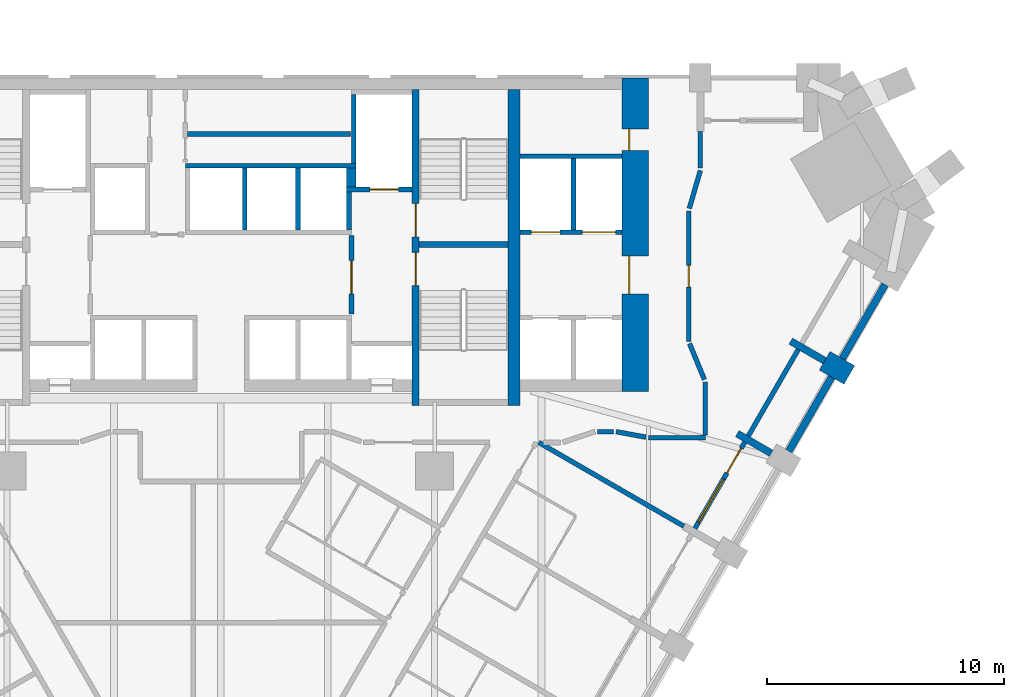
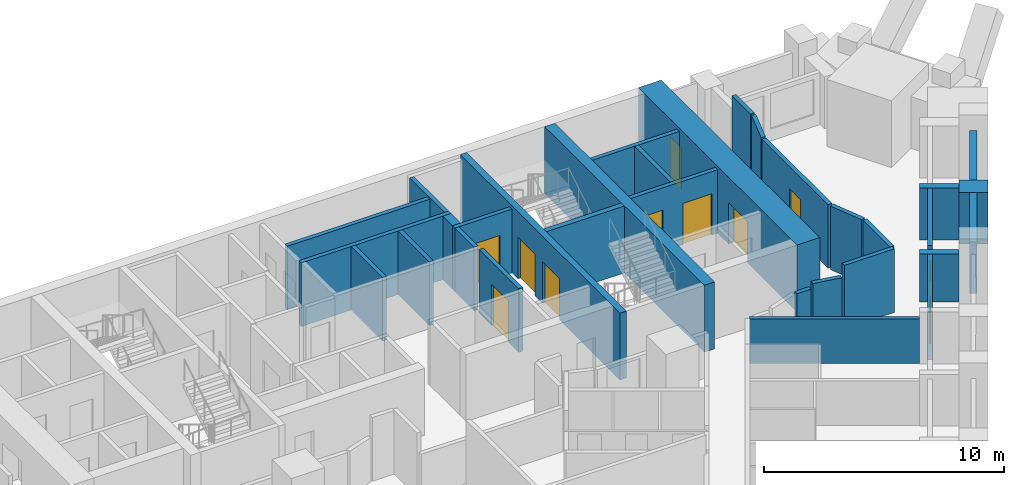
# One storey, part 9 of 12: 32 walls, 10 doors, 1 window, 11 openings.
"""IFC4 building model written with IfcOpenShell, lengths in metres."""

from ifc_helpers import new_model, si_unit, direction, frame, frame_2d, origin, place, context, subcontext, project, spatial, rectangle, extrude, material, layer, layer_set, type_object, element, fill, save


model = new_model("IFC4")

# Units and contexts
model_context = context("Model", 3, precision=1e-05, world=origin(), true_north=direction((0.0, 1.0)))
body_context = subcontext(model_context, "Body", "Model", "MODEL_VIEW")
ifc_project = project(units=[si_unit("LENGTHUNIT", "METRE"), si_unit("AREAUNIT", "SQUARE_METRE"), si_unit("VOLUMEUNIT", "CUBIC_METRE"), si_unit("PLANEANGLEUNIT", "RADIAN"), si_unit("MASSUNIT", "GRAM", prefix="KILO")], contexts=[model_context])

# Site, building, storey
site_placement = place(None, origin())
site = spatial("IfcSite", under=ifc_project, at=site_placement, CompositionType="ELEMENT")
building_placement = place(site_placement, origin())
building = spatial("IfcBuilding", under=site, at=building_placement, Name="Calabash Gate Tower", CompositionType="ELEMENT")
storey_placement = place(building_placement, frame((0.0, 0.0, 80.0)))
storey = spatial("IfcBuildingStorey", under=building, at=storey_placement, Name="L16", CompositionType="ELEMENT", Elevation=80.0)

# Walls
ifc_material_1 = material(Name="Terracotta brick masonry, exposed face", Category="masonry")
ifc_layer_1 = layer(ifc_material_1, 1.199951171875)
ifc_layer_set_1 = layer_set([ifc_layer_1], Name="Brick end wall 1200")
wall_type_1 = type_object("IfcWallType", Name="Brick end wall 1200", PredefinedType="SOLIDWALL", material=ifc_layer_set_1)
wall_1_placement = place(storey_placement, frame((26.467041015625, 6.537353515625, 0.0), z_axis=(0.0, 0.0, 1.0), x_axis=(-0.866043267704, 0.499969057507, 0.0)))
element("IfcWall", 1, at=wall_1_placement, inside=storey, type_object=wall_type_1, Name="Brick pier S04 SE2.9", PredefinedType="SOLIDWALL", context=body_context, shape_type="SweptSolid", body=[
    extrude(rectangle(XDim=1.19970703125, YDim=0.89990234375, at=frame_2d((0.599853515625, 0.0))), origin(), (0.0, 0.0, 1.0), 2.6298828125),
])
ifc_material_2 = material(Name="Terracotta brick masonry, exposed face", Category="masonry")
ifc_layer_2 = layer(ifc_material_2, 0.300048828125)
ifc_layer_set_2 = layer_set([ifc_layer_2], Name="Brick infill panel wall 300")
wall_type_2 = type_object("IfcWallType", Name="Brick infill panel wall 300", PredefinedType="SOLIDWALL", material=ifc_layer_set_2)
wall_2_placement = place(storey_placement, frame((23.92236328125, 3.329833984375, 0.0), z_axis=(0.0, 0.0, 1.0), x_axis=(0.500012057535, 0.866018442252, 0.0)))
element("IfcWall", 2, at=wall_2_placement, inside=storey, type_object=wall_type_2, Name="Brick panel S04 SE2.9", PredefinedType="SOLIDWALL", context=body_context, shape_type="SweptSolid", body=[
    extrude(rectangle(XDim=3.60009765625, YDim=0.300048828125, at=frame_2d((1.800048828125, 0.0))), origin(), (0.0, 0.0, 1.0), 2.6298828125),
])
wall_3_placement = place(storey_placement, frame((26.17236328125, 7.22705078125, 0.0), z_axis=(0.0, 0.0, 1.0), x_axis=(0.50001992892, 0.866013897511, 0.0)))
element("IfcWall", 3, at=wall_3_placement, inside=storey, type_object=wall_type_2, Name="Brick panel S04 SE2.10", PredefinedType="SOLIDWALL", context=body_context, shape_type="SweptSolid", body=[
    extrude(rectangle(XDim=3.599365234375, YDim=0.300048828125, at=frame_2d((1.7998046875, 0.0))), origin(), (0.0, 0.0, 1.0), 2.6298828125),
])
ifc_material_3 = material(Name="Terracotta brick masonry, exposed face", Category="masonry")
ifc_layer_3 = layer(ifc_material_3, 0.300048828125)
ifc_layer_set_3 = layer_set([ifc_layer_3], Name="Brick loggia cheek wall 300")
wall_type_3 = type_object("IfcWallType", Name="Brick loggia cheek wall 300", PredefinedType="SOLIDWALL", material=ifc_layer_set_3)
wall_4_placement = place(storey_placement, frame((23.177490234375, 3.240234375, 0.0), z_axis=(0.0, 0.0, 1.0), x_axis=(-0.865966208357, 0.500102515474, 0.0)))
element("IfcWall", 4, at=wall_4_placement, inside=storey, type_object=wall_type_3, Name="Loggia cheek S04 SE2.8", PredefinedType="SOLIDWALL", context=body_context, shape_type="SweptSolid", body=[
    extrude(rectangle(XDim=1.649658203125, YDim=0.300048828125, at=frame_2d((0.82470703125, 0.0))), origin(), (0.0, 0.0, 1.0), 2.4501953125),
])
wall_5_placement = place(storey_placement, frame((25.427978515625, 7.13720703125, 0.0), z_axis=(0.0, 0.0, 1.0), x_axis=(-0.866040211805, 0.499974350878, 0.0)))
element("IfcWall", 5, at=wall_5_placement, inside=storey, type_object=wall_type_3, Name="Loggia cheek S04 SE2.9", PredefinedType="SOLIDWALL", context=body_context, shape_type="SweptSolid", body=[
    extrude(rectangle(XDim=1.64990234375, YDim=0.300048828125, at=frame_2d((0.824951171875, 0.0))), origin(), (0.0, 0.0, 1.0), 2.64990234375),
])

# Wall, openings, doors
ifc_material_4 = material(Name="Concrete C80/95", Category="concrete")
ifc_layer_4 = layer(ifc_material_4, 1.10009765625)
ifc_layer_set_4 = layer_set([ifc_layer_4], Name="Core wall 1100 Concrete C80/95")
wall_type_4 = type_object("IfcWallType", Name="Core wall 1100 Concrete C80/95", PredefinedType="SHEAR", material=ifc_layer_set_4)
wall_6_placement = place(storey_placement, frame((17.449951171875, 5.8525390625, 0.0), z_axis=(0.0, 0.0, 1.0), x_axis=(0.0, 1.0, 0.0)))
wall_6 = element("IfcWall", 6, at=wall_6_placement, inside=storey, type_object=wall_type_4, Name="Core wall Z1-ENDE L16", PredefinedType="SHEAR", context=body_context, shape_type="SweptSolid", body=[
    extrude(rectangle(XDim=13.199951171875, YDim=1.10009765625, at=frame_2d((6.60009765625, 0.0))), origin(), (0.0, 0.0, 1.0), 3.39990234375),
])
opening_1_placement = place(wall_6_placement, frame((4.10009765625, 0.0, 0.0)))
opening_1 = element("IfcOpeningElement", 7, at=opening_1_placement, cuts=wall_6, Name="Opening H4-002", PredefinedType="OPENING", context=body_context, shape_type="SweptSolid", body=[
    extrude(rectangle(XDim=1.60009765625, YDim=2.10009765625, at=frame_2d((0.800048828125, 1.050048828125))), frame((0.0, 0.56005859375, 0.0), z_axis=(0.0, -1.0, 0.0), x_axis=(1.0, 0.0, 0.0)), (0.0, 0.0, 1.0), 1.1201171875),
])
opening_2_placement = place(wall_6_placement, frame((10.14990234375, 0.0, 0.0)))
opening_2 = element("IfcOpeningElement", 8, at=opening_2_placement, cuts=wall_6, Name="Opening H4-001", PredefinedType="OPENING", context=body_context, shape_type="SweptSolid", body=[
    extrude(rectangle(XDim=0.89990234375, YDim=2.10009765625, at=frame_2d((0.449951171875, 1.050048828125))), frame((0.0, 0.56005859375, 0.0), z_axis=(0.0, -1.0, 0.0), x_axis=(1.0, 0.0, 0.0)), (0.0, 0.0, 1.0), 1.1201171875),
])
ifc_material_5 = material(Name="Steel fire door set with fire-resisting glazing", Category="steel")
door_type_1 = type_object("IfcDoorType", Name="Double fire door D08 1600x2100 FD60", OperationType="DOUBLE_DOOR_SINGLE_SWING", PredefinedType="DOOR", material=ifc_material_5)
door_1_placement = place(opening_1_placement, origin())
door_1 = element("IfcDoor", 9, at=door_1_placement, inside=storey, type_object=door_type_1, Name="Low-rise Lift Lobby E door", OperationType="DOUBLE_DOOR_SINGLE_SWING", OverallHeight=2.10009765625, OverallWidth=1.60009765625, PredefinedType="DOOR", context=body_context, shape_type="SweptSolid", body=[
    extrude(rectangle(XDim=1.60009765625, YDim=2.10009765625, at=frame_2d((0.800048828125, 1.050048828125))), frame((0.0, 0.27490234375, 0.0), z_axis=(0.0, -1.0, 0.0), x_axis=(1.0, 0.0, 0.0)), (0.0, 0.0, 1.0), 0.050048828125),
])
fill(opening_1, door_1)
ifc_material_6 = material(Name="Steel fire door set with fire-resisting glazing", Category="steel")
door_type_2 = type_object("IfcDoorType", Name="Fire door D06 900x2100 FD60", OperationType="NOTDEFINED", PredefinedType="DOOR", material=ifc_material_6)
door_2_placement = place(opening_2_placement, origin())
door_2 = element("IfcDoor", 10, at=door_2_placement, inside=storey, type_object=door_type_2, Name="Housekeeping Store door", OperationType="SINGLE_SWING_LEFT", OverallHeight=2.10009765625, OverallWidth=0.89990234375, PredefinedType="DOOR", context=body_context, shape_type="SweptSolid", body=[
    extrude(rectangle(XDim=0.89990234375, YDim=2.10009765625, at=frame_2d((0.449951171875, 1.050048828125))), frame((0.0, 0.27490234375, 0.0), z_axis=(0.0, -1.0, 0.0), x_axis=(1.0, 0.0, 0.0)), (0.0, 0.0, 1.0), 0.050048828125),
])
fill(opening_2, door_2)

# Wall
ifc_material_7 = material(Name="Concrete C80/95", Category="concrete")
ifc_layer_5 = layer(ifc_material_7, 0.25)
ifc_layer_set_5 = layer_set([ifc_layer_5], Name="Core wall 250 Concrete C80/95")
wall_type_5 = type_object("IfcWallType", Name="Core wall 250 Concrete C80/95", PredefinedType="SHEAR", material=ifc_layer_set_5)
wall_7_placement = place(storey_placement, frame((8.35009765625, 12.027587890625, 0.0), z_axis=(0.0, 0.0, 1.0), x_axis=(1.0, 0.0, 0.0)))
element("IfcWall", 11, at=wall_7_placement, inside=storey, type_object=wall_type_5, Name="Core wall Z1-MIDE L16", PredefinedType="SHEAR", context=body_context, shape_type="SweptSolid", body=[
    extrude(rectangle(XDim=3.75, YDim=0.25, at=frame_2d((1.875, 0.0))), origin(), (0.0, 0.0, 1.0), 3.39990234375),
])

# Wall, openings, doors
ifc_material_8 = material(Name="Concrete C80/95", Category="concrete")
ifc_layer_6 = layer(ifc_material_8, 0.300048828125)
ifc_layer_set_6 = layer_set([ifc_layer_6], Name="Core wall 300 Concrete C80/95")
wall_type_6 = type_object("IfcWallType", Name="Core wall 300 Concrete C80/95", PredefinedType="SHEAR", material=ifc_layer_set_6)
wall_8_placement = place(storey_placement, frame((8.199951171875, 5.252685546875, 0.0), z_axis=(0.0, 0.0, 1.0), x_axis=(0.0, 1.0, 0.0)))
wall_8 = element("IfcWall", 12, at=wall_8_placement, inside=storey, type_object=wall_type_6, Name="Core wall Z1-PARTE L16", PredefinedType="SHEAR", context=body_context, shape_type="SweptSolid", body=[
    extrude(rectangle(XDim=13.2998046875, YDim=0.300048828125, at=frame_2d((6.64990234375, 0.0))), origin(), (0.0, 0.0, 1.0), 3.39990234375),
])
opening_3_placement = place(wall_8_placement, frame((7.10009765625, 0.0, 0.0)))
opening_3 = element("IfcOpeningElement", 13, at=opening_3_placement, cuts=wall_8, Name="Opening H4-015", PredefinedType="OPENING", context=body_context, shape_type="SweptSolid", body=[
    extrude(rectangle(XDim=1.39990234375, YDim=2.10009765625, at=frame_2d((0.699951171875, 1.050048828125))), frame((0.0, 0.159912109375, 0.0), z_axis=(0.0, -1.0, 0.0), x_axis=(1.0, 0.0, 0.0)), (0.0, 0.0, 1.0), 0.320068359375),
])
opening_4_placement = place(wall_8_placement, frame((5.050048828125, 0.0, 0.0)))
opening_4 = element("IfcOpeningElement", 14, at=opening_4_placement, cuts=wall_8, Name="Opening H4-016", PredefinedType="OPENING", context=body_context, shape_type="SweptSolid", body=[
    extrude(rectangle(XDim=1.39990234375, YDim=2.10009765625, at=frame_2d((0.699951171875, 1.050048828125))), frame((0.0, 0.159912109375, 0.0), z_axis=(0.0, -1.0, 0.0), x_axis=(1.0, 0.0, 0.0)), (0.0, 0.0, 1.0), 0.320068359375),
])
ifc_material_9 = material(Name="Steel fire door set with fire-resisting glazing", Category="steel")
door_type_3 = type_object("IfcDoorType", Name="Fire door D05 1400x2100 FD90", OperationType="NOTDEFINED", PredefinedType="DOOR", material=ifc_material_9)
door_3_placement = place(opening_3_placement, origin())
door_3 = element("IfcDoor", 15, at=door_3_placement, inside=storey, type_object=door_type_3, Name="Exit stair door ST3", OperationType="SINGLE_SWING_RIGHT", OverallHeight=2.10009765625, OverallWidth=1.39990234375, PredefinedType="DOOR", context=body_context, shape_type="SweptSolid", body=[
    extrude(rectangle(XDim=1.39990234375, YDim=2.10009765625, at=frame_2d((0.699951171875, 1.050048828125))), frame((0.0, 0.02490234375, 0.0), z_axis=(0.0, -1.0, 0.0), x_axis=(1.0, 0.0, 0.0)), (0.0, 0.0, 1.0), 0.050048828125),
])
fill(opening_3, door_3)
door_4_placement = place(opening_4_placement, origin())
door_4 = element("IfcDoor", 16, at=door_4_placement, inside=storey, type_object=door_type_3, Name="Exit stair door ST4", OperationType="SINGLE_SWING_LEFT", OverallHeight=2.10009765625, OverallWidth=1.39990234375, PredefinedType="DOOR", context=body_context, shape_type="SweptSolid", body=[
    extrude(rectangle(XDim=1.39990234375, YDim=2.10009765625, at=frame_2d((0.699951171875, 1.050048828125))), frame((0.0, 0.02490234375, 0.0), z_axis=(0.0, -1.0, 0.0), x_axis=(1.0, 0.0, 0.0)), (0.0, 0.0, 1.0), 0.050048828125),
])
fill(opening_4, door_4)

# Walls
ifc_material_10 = material(Name="Concrete C80/95", Category="concrete")
ifc_layer_7 = layer(ifc_material_10, 0.5)
ifc_layer_set_7 = layer_set([ifc_layer_7], Name="Core wall 500 Concrete C80/95")
wall_type_7 = type_object("IfcWallType", Name="Core wall 500 Concrete C80/95", PredefinedType="SHEAR", material=ifc_layer_set_7)
wall_9_placement = place(storey_placement, frame((12.35009765625, 5.252685546875, 0.0), z_axis=(0.0, 0.0, 1.0), x_axis=(0.0, 1.0, 0.0)))
element("IfcWall", 17, at=wall_9_placement, inside=storey, type_object=wall_type_7, Name="Core wall Z1-COLE L16", PredefinedType="SHEAR", context=body_context, shape_type="SweptSolid", body=[
    extrude(rectangle(XDim=13.2998046875, YDim=0.5, at=frame_2d((6.64990234375, 0.0))), origin(), (0.0, 0.0, 1.0), 3.39990234375),
])
ifc_material_11 = material(Name="Gypsum board on steel studs, mineral wool", Category="steel")
ifc_layer_8 = layer(ifc_material_11, 0.199951171875)
ifc_layer_set_8 = layer_set([ifc_layer_8], Name="Partition 200 gypsum board EI 60")
wall_type_8 = type_object("IfcWallType", Name="Partition 200 gypsum board EI 60", PredefinedType="PARTITIONING", material=ifc_layer_set_8)
wall_10_placement = place(storey_placement, frame((13.38330078125, 3.699462890625, 0.0), z_axis=(0.0, 0.0, 1.0), x_axis=(0.866028421525, -0.499994773084, 0.0)))
element("IfcWall", 18, at=wall_10_placement, inside=storey, type_object=wall_type_8, Name="Partition", PredefinedType="PARTITIONING", context=body_context, shape_type="SweptSolid", body=[
    extrude(rectangle(XDim=7.06201171875, YDim=0.199951171875, at=frame_2d((3.531005859375, 0.0))), origin(), (0.0, 0.0, 1.0), 2.24169921875),
])
wall_11_placement = place(storey_placement, frame((18.0, 3.8994140625, 0.0), z_axis=(0.0, 0.0, 1.0), x_axis=(0.999999979311, 0.000203417408, 0.0)))
element("IfcWall", 19, at=wall_11_placement, inside=storey, type_object=wall_type_8, Name="Partition", PredefinedType="PARTITIONING", context=body_context, shape_type="SweptSolid", body=[
    extrude(rectangle(XDim=2.400390625, YDim=0.199951171875, at=frame_2d((1.2001953125, 0.0))), origin(), (0.0, 0.0, 1.0), 3.22998046875),
])
wall_12_placement = place(storey_placement, frame((20.400390625, 4.0, 0.0), z_axis=(0.0, 0.0, 1.0), x_axis=(0.0, 1.0, 0.0)))
element("IfcWall", 20, at=wall_12_placement, inside=storey, type_object=wall_type_8, Name="Partition", PredefinedType="PARTITIONING", context=body_context, shape_type="SweptSolid", body=[
    extrude(rectangle(XDim=2.252685546875, YDim=0.199951171875, at=frame_2d((1.12646484375, 0.0))), origin(), (0.0, 0.0, 1.0), 3.22998046875),
])
wall_13_placement = place(storey_placement, frame((15.85791015625, 4.152099609375, 0.0), z_axis=(0.0, 0.0, 1.0), x_axis=(1.0, 0.0, 0.0)))
element("IfcWall", 21, at=wall_13_placement, inside=storey, type_object=wall_type_8, Name="Partition", PredefinedType="PARTITIONING", context=body_context, shape_type="SweptSolid", body=[
    extrude(rectangle(XDim=0.684326171875, YDim=0.199951171875, at=frame_2d((0.34228515625, 0.0))), origin(), (0.0, 0.0, 1.0), 2.384033203125),
])
wall_14_placement = place(storey_placement, frame((16.642333984375, 4.152099609375, 0.0), z_axis=(0.0, 0.0, 1.0), x_axis=(0.983117293899, -0.182976464161, 0.0)))
element("IfcWall", 22, at=wall_14_placement, inside=storey, type_object=wall_type_8, Name="Partition", PredefinedType="PARTITIONING", context=body_context, shape_type="SweptSolid", body=[
    extrude(rectangle(XDim=1.281005859375, YDim=0.199951171875, at=frame_2d((0.640625, 0.0))), origin(), (0.0, 0.0, 1.0), 2.6279296875),
])
wall_15_placement = place(storey_placement, frame((19.738525390625, 7.860107421875, 0.0), z_axis=(0.0, 0.0, 1.0), x_axis=(0.380749805254, -0.924678098475, 0.0)))
element("IfcWall", 23, at=wall_15_placement, inside=storey, type_object=wall_type_8, Name="Partition", PredefinedType="PARTITIONING", context=body_context, shape_type="SweptSolid", body=[
    extrude(rectangle(XDim=1.63818359375, YDim=0.199951171875, at=frame_2d((0.819091796875, 0.0))), origin(), (0.0, 0.0, 1.0), 3.22998046875),
])

# Wall, opening, door
wall_16_placement = place(storey_placement, frame((19.700439453125, 7.95263671875, 0.0), z_axis=(0.0, 0.0, 1.0), x_axis=(0.0, 1.0, 0.0)))
wall_16 = element("IfcWall", 24, at=wall_16_placement, inside=storey, type_object=wall_type_8, Name="Partition", PredefinedType="PARTITIONING", context=body_context, shape_type="SweptSolid", body=[
    extrude(rectangle(XDim=5.499755859375, YDim=0.199951171875, at=frame_2d((2.75, 0.0))), origin(), (0.0, 0.0, 1.0), 3.22998046875),
])
opening_5_placement = place(wall_16_placement, frame((2.2998046875, 0.0, 0.0)))
opening_5 = element("IfcOpeningElement", 25, at=opening_5_placement, cuts=wall_16, Name="Opening 15-17-040", PredefinedType="OPENING", context=body_context, shape_type="SweptSolid", body=[
    extrude(rectangle(XDim=0.89990234375, YDim=2.10009765625, at=frame_2d((0.449951171875, 1.050048828125))), frame((0.0, 0.10986328125, 0.0), z_axis=(0.0, -1.0, 0.0), x_axis=(1.0, 0.0, 0.0)), (0.0, 0.0, 1.0), 0.219970703125),
])
ifc_material_12 = material(Name="Steel fire door set with fire-resisting glazing", Category="steel")
door_type_4 = type_object("IfcDoorType", Name="SD3 Store door 900x2100", OperationType="NOTDEFINED", PredefinedType="DOOR", material=ifc_material_12)
door_5_placement = place(opening_5_placement, origin())
door_5 = element("IfcDoor", 26, at=door_5_placement, inside=storey, type_object=door_type_4, Name="Store door", OperationType="SINGLE_SWING_RIGHT", OverallHeight=2.10009765625, OverallWidth=0.89990234375, PredefinedType="DOOR", context=body_context, shape_type="SweptSolid", body=[
    extrude(rectangle(XDim=0.89990234375, YDim=2.10009765625, at=frame_2d((0.449951171875, 1.050048828125))), frame((0.0, 0.02490234375, 0.0), z_axis=(0.0, -1.0, 0.0), x_axis=(1.0, 0.0, 0.0)), (0.0, 0.0, 1.0), 0.050048828125),
])
fill(opening_5, door_5)

# Walls
wall_17_placement = place(storey_placement, frame((19.728271484375, 13.548583984375, 0.0), z_axis=(0.0, 0.0, 1.0), x_axis=(0.277983512343, 0.960585845651, 0.0)))
element("IfcWall", 27, at=wall_17_placement, inside=storey, type_object=wall_type_8, Name="Partition", PredefinedType="PARTITIONING", context=body_context, shape_type="SweptSolid", body=[
    extrude(rectangle(XDim=1.669677734375, YDim=0.199951171875, at=frame_2d((0.8349609375, 0.0))), origin(), (0.0, 0.0, 1.0), 3.22998046875),
])
wall_18_placement = place(storey_placement, frame((20.1923828125, 15.25244140625, 0.0), z_axis=(0.0, 0.0, 1.0), x_axis=(0.0, 1.0, 0.0)))
element("IfcWall", 28, at=wall_18_placement, inside=storey, type_object=wall_type_8, Name="Partition", PredefinedType="PARTITIONING", context=body_context, shape_type="SweptSolid", body=[
    extrude(rectangle(XDim=1.550048828125, YDim=0.199951171875, at=frame_2d((0.77490234375, 0.0))), origin(), (0.0, 0.0, 1.0), 3.22998046875),
])

# Wall, opening, door
ifc_material_13 = material(Name="Concrete C40/50", Category="concrete")
ifc_layer_9 = layer(ifc_material_13, 0.199951171875)
ifc_layer_set_9 = layer_set([ifc_layer_9], Name="Shaft wall 200 Concrete C40/50")
wall_type_9 = type_object("IfcWallType", Name="Shaft wall 200 Concrete C40/50", PredefinedType="SOLIDWALL", material=ifc_layer_set_9)
wall_19_placement = place(storey_placement, frame((5.5, 9.1025390625, 0.0), z_axis=(0.0, 0.0, 1.0), x_axis=(0.0, 1.0, 0.0)))
wall_19 = element("IfcWall", 29, at=wall_19_placement, inside=storey, type_object=wall_type_9, Name="Shaft wall", PredefinedType="SOLIDWALL", context=body_context, shape_type="SweptSolid", body=[
    extrude(rectangle(XDim=3.300048828125, YDim=0.199951171875, at=frame_2d((1.64990234375, 0.0))), origin(), (0.0, 0.0, 1.0), 3.22998046875),
])
opening_6_placement = place(wall_19_placement, frame((0.85009765625, 0.0, 0.0)))
opening_6 = element("IfcOpeningElement", 30, at=opening_6_placement, cuts=wall_19, Name="Opening H4-006", PredefinedType="OPENING", context=body_context, shape_type="SweptSolid", body=[
    extrude(rectangle(XDim=1.39990234375, YDim=2.10009765625, at=frame_2d((0.699951171875, 1.050048828125))), frame((0.0, 0.10986328125, 0.0), z_axis=(0.0, -1.0, 0.0), x_axis=(1.0, 0.0, 0.0)), (0.0, 0.0, 1.0), 0.219970703125),
])
door_6_placement = place(opening_6_placement, origin())
door_6 = element("IfcDoor", 31, at=door_6_placement, inside=storey, type_object=door_type_3, Name="Firefighting Lobby E door", OperationType="SINGLE_SWING_LEFT", OverallHeight=2.10009765625, OverallWidth=1.39990234375, PredefinedType="DOOR", context=body_context, shape_type="SweptSolid", body=[
    extrude(rectangle(XDim=1.39990234375, YDim=2.10009765625, at=frame_2d((0.699951171875, 1.050048828125))), frame((0.0, 0.02490234375, 0.0), z_axis=(0.0, -1.0, 0.0), x_axis=(1.0, 0.0, 0.0)), (0.0, 0.0, 1.0), 0.050048828125),
])
fill(opening_6, door_6)

# Wall, openings, doors
wall_20_placement = place(storey_placement, frame((12.60009765625, 12.552490234375, 0.0), z_axis=(0.0, 0.0, 1.0), x_axis=(1.0, 0.0, 0.0)))
wall_20 = element("IfcWall", 32, at=wall_20_placement, inside=storey, type_object=wall_type_9, Name="Shaft wall", PredefinedType="SOLIDWALL", context=body_context, shape_type="SweptSolid", body=[
    extrude(rectangle(XDim=4.2998046875, YDim=0.199951171875, at=frame_2d((2.14990234375, 0.0))), origin(), (0.0, 0.0, 1.0), 3.22998046875),
])
opening_7_placement = place(wall_20_placement, frame((0.47509765625, 0.0, 0.0)))
opening_7 = element("IfcOpeningElement", 33, at=opening_7_placement, cuts=wall_20, Name="Opening LD-SL1", PredefinedType="OPENING", context=body_context, shape_type="SweptSolid", body=[
    extrude(rectangle(XDim=1.199951171875, YDim=2.10009765625, at=frame_2d((0.60009765625, 1.050048828125))), frame((0.0, 0.10986328125, 0.0), z_axis=(0.0, -1.0, 0.0), x_axis=(1.0, 0.0, 0.0)), (0.0, 0.0, 1.0), 0.219970703125),
])
opening_8_placement = place(wall_20_placement, frame((2.625, 0.0, 0.0)))
opening_8 = element("IfcOpeningElement", 34, at=opening_8_placement, cuts=wall_20, Name="Opening LD-GL1", PredefinedType="OPENING", context=body_context, shape_type="SweptSolid", body=[
    extrude(rectangle(XDim=1.39990234375, YDim=2.10009765625, at=frame_2d((0.699951171875, 1.050048828125))), frame((0.0, 0.10986328125, 0.0), z_axis=(0.0, -1.0, 0.0), x_axis=(1.0, 0.0, 0.0)), (0.0, 0.0, 1.0), 0.219970703125),
])
ifc_material_14 = material(Name="Stainless steel sliding door leaves", Category="steel")
door_type_5 = type_object("IfcDoorType", Name="Lift landing door LS3 1200x2100 FD90", OperationType="DOUBLE_DOOR_SLIDING", PredefinedType="DOOR", material=ifc_material_14)
door_7_placement = place(opening_7_placement, origin())
door_7 = element("IfcDoor", 35, at=door_7_placement, inside=storey, type_object=door_type_5, Name="Lift landing door SL1", OperationType="DOUBLE_DOOR_SLIDING", OverallHeight=2.10009765625, OverallWidth=1.199951171875, PredefinedType="DOOR", context=body_context, shape_type="SweptSolid", body=[
    extrude(rectangle(XDim=1.199951171875, YDim=2.10009765625, at=frame_2d((0.60009765625, 1.050048828125))), frame((0.0, 0.02490234375, 0.0), z_axis=(0.0, -1.0, 0.0), x_axis=(1.0, 0.0, 0.0)), (0.0, 0.0, 1.0), 0.050048828125),
])
fill(opening_7, door_7)
ifc_material_15 = material(Name="Stainless steel sliding door leaves", Category="steel")
door_type_6 = type_object("IfcDoorType", Name="Lift landing door LS4 1400x2100 FD90", OperationType="DOUBLE_DOOR_SLIDING", PredefinedType="DOOR", material=ifc_material_15)
door_8_placement = place(opening_8_placement, origin())
door_8 = element("IfcDoor", 36, at=door_8_placement, inside=storey, type_object=door_type_6, Name="Lift landing door GL1", OperationType="DOUBLE_DOOR_SLIDING", OverallHeight=2.10009765625, OverallWidth=1.39990234375, PredefinedType="DOOR", context=body_context, shape_type="SweptSolid", body=[
    extrude(rectangle(XDim=1.39990234375, YDim=2.10009765625, at=frame_2d((0.699951171875, 1.050048828125))), frame((0.0, 0.02490234375, 0.0), z_axis=(0.0, -1.0, 0.0), x_axis=(1.0, 0.0, 0.0)), (0.0, 0.0, 1.0), 0.050048828125),
])
fill(opening_8, door_8)

# Walls
for number, where, z_axis, x_axis, name in (
    (37, (1.0, 12.652587890625, 0.0), (0.0, 0.0, 1.0), (0.0, 1.0, 0.0), "Shaft wall"),
    (38, (3.25, 12.652587890625, 0.0), (0.0, 0.0, 1.0), (0.0, 1.0, 0.0), "Shaft wall"),
):
    element("IfcWall", number, at=place(storey_placement, frame(where, z_axis=z_axis, x_axis=x_axis)), inside=storey, type_object=wall_type_9, Name=name, PredefinedType="SOLIDWALL", context=body_context, shape_type="SweptSolid", body=[
        extrude(rectangle(XDim=2.60009765625, YDim=0.199951171875, at=frame_2d((1.300048828125, 0.0))), origin(), (0.0, 0.0, 1.0), 3.22998046875),
    ])
wall_21_placement = place(storey_placement, frame((5.39990234375, 12.652587890625, 0.0), z_axis=(0.0, 0.0, 1.0), x_axis=(0.0, 1.0, 0.0)))
element("IfcWall", 39, at=wall_21_placement, inside=storey, type_object=wall_type_9, Name="Shaft wall", PredefinedType="SOLIDWALL", context=body_context, shape_type="SweptSolid", body=[
    extrude(rectangle(XDim=1.60009765625, YDim=0.199951171875, at=frame_2d((0.800048828125, 0.0))), origin(), (0.0, 0.0, 1.0), 3.22998046875),
])
wall_22_placement = place(storey_placement, frame((14.85009765625, 12.652587890625, 0.0), z_axis=(0.0, 0.0, 1.0), x_axis=(0.0, 1.0, 0.0)))
element("IfcWall", 40, at=wall_22_placement, inside=storey, type_object=wall_type_9, Name="Shaft wall", PredefinedType="SOLIDWALL", context=body_context, shape_type="SweptSolid", body=[
    extrude(rectangle(XDim=3.0, YDim=0.199951171875, at=frame_2d((1.5, 0.0))), origin(), (0.0, 0.0, 1.0), 3.22998046875),
])

# Wall, opening, door
wall_23_placement = place(storey_placement, frame((5.300048828125, 14.3525390625, 0.0), z_axis=(0.0, 0.0, 1.0), x_axis=(1.0, 0.0, 0.0)))
wall_23 = element("IfcWall", 41, at=wall_23_placement, inside=storey, type_object=wall_type_9, Name="Shaft wall", PredefinedType="SOLIDWALL", context=body_context, shape_type="SweptSolid", body=[
    extrude(rectangle(XDim=2.75, YDim=0.199951171875, at=frame_2d((1.375, 0.0))), origin(), (0.0, 0.0, 1.0), 3.22998046875),
])
opening_9_placement = place(wall_23_placement, frame((0.97509765625, 0.0, 0.0)))
opening_9 = element("IfcOpeningElement", 42, at=opening_9_placement, cuts=wall_23, Name="Opening LD-FF2", PredefinedType="OPENING", context=body_context, shape_type="SweptSolid", body=[
    extrude(rectangle(XDim=1.199951171875, YDim=2.10009765625, at=frame_2d((0.60009765625, 1.050048828125))), frame((0.0, 0.10986328125, 0.0), z_axis=(0.0, -1.0, 0.0), x_axis=(1.0, 0.0, 0.0)), (0.0, 0.0, 1.0), 0.219970703125),
])
door_9_placement = place(opening_9_placement, origin())
door_9 = element("IfcDoor", 43, at=door_9_placement, inside=storey, type_object=door_type_5, Name="Lift landing door FF2", OperationType="DOUBLE_DOOR_SLIDING", OverallHeight=2.10009765625, OverallWidth=1.199951171875, PredefinedType="DOOR", context=body_context, shape_type="SweptSolid", body=[
    extrude(rectangle(XDim=1.199951171875, YDim=2.10009765625, at=frame_2d((0.60009765625, 1.050048828125))), frame((0.0, 0.02490234375, 0.0), z_axis=(0.0, -1.0, 0.0), x_axis=(1.0, 0.0, 0.0)), (0.0, 0.0, 1.0), 0.050048828125),
])
fill(opening_9, door_9)

# Walls
wall_24_placement = place(storey_placement, frame((5.5, 14.45263671875, 0.0), z_axis=(0.0, 0.0, 1.0), x_axis=(0.0, 1.0, 0.0)))
element("IfcWall", 44, at=wall_24_placement, inside=storey, type_object=wall_type_9, Name="Shaft wall", PredefinedType="SOLIDWALL", context=body_context, shape_type="SweptSolid", body=[
    extrude(rectangle(XDim=0.800048828125, YDim=0.39990234375, at=frame_2d((0.39990234375, 0.0))), origin(), (0.0, 0.0, 1.0), 3.22998046875),
])
wall_25_placement = place(storey_placement, frame((-1.5, 15.3525390625, 0.0), z_axis=(0.0, 0.0, 1.0), x_axis=(1.0, 0.0, 0.0)))
element("IfcWall", 45, at=wall_25_placement, inside=storey, type_object=wall_type_9, Name="Shaft wall", PredefinedType="SOLIDWALL", context=body_context, shape_type="SweptSolid", body=[
    extrude(rectangle(XDim=7.199951171875, YDim=0.199951171875, at=frame_2d((3.60009765625, 0.0))), origin(), (0.0, 0.0, 1.0), 3.22998046875),
])
wall_26_placement = place(storey_placement, frame((5.60009765625, 15.45263671875, 0.0), z_axis=(0.0, 0.0, 1.0), x_axis=(0.0, 1.0, 0.0)))
element("IfcWall", 46, at=wall_26_placement, inside=storey, type_object=wall_type_9, Name="Shaft wall", PredefinedType="SOLIDWALL", context=body_context, shape_type="SweptSolid", body=[
    extrude(rectangle(XDim=2.89990234375, YDim=0.199951171875, at=frame_2d((1.449951171875, 0.0))), origin(), (0.0, 0.0, 1.0), 3.22998046875),
])
wall_27_placement = place(storey_placement, frame((12.60009765625, 15.752685546875, 0.0), z_axis=(0.0, 0.0, 1.0), x_axis=(1.0, 0.0, 0.0)))
element("IfcWall", 47, at=wall_27_placement, inside=storey, type_object=wall_type_9, Name="Shaft wall", PredefinedType="SOLIDWALL", context=body_context, shape_type="SweptSolid", body=[
    extrude(rectangle(XDim=4.2998046875, YDim=0.199951171875, at=frame_2d((2.14990234375, 0.0))), origin(), (0.0, 0.0, 1.0), 3.22998046875),
])
wall_28_placement = place(storey_placement, frame((-1.39990234375, 16.692626953125, 0.0), z_axis=(0.0, 0.0, 1.0), x_axis=(1.0, 0.0, 0.0)))
element("IfcWall", 48, at=wall_28_placement, inside=storey, type_object=wall_type_9, Name="Shaft wall", PredefinedType="SOLIDWALL", context=body_context, shape_type="SweptSolid", body=[
    extrude(rectangle(XDim=6.849853515625, YDim=0.199951171875, at=frame_2d((3.4248046875, 0.0))), origin(), (0.0, 0.0, 1.0), 3.22998046875),
])

# Wall, openings, door, window
ifc_material_16 = material(Name="Aluminium framed window wall with insulated spandrel", Category="aluminium")
ifc_layer_10 = layer(ifc_material_16, 0.199951171875)
ifc_layer_set_10 = layer_set([ifc_layer_10], Name="Window wall 200")
wall_type_10 = type_object("IfcWallType", Name="Window wall 200", PredefinedType="ELEMENTEDWALL", material=ifc_layer_set_10)
wall_29_placement = place(storey_placement, frame((19.963623046875, 0.072998046875, 0.0), z_axis=(0.0, 0.0, 1.0), x_axis=(0.500027713859, 0.866009402589, 0.0)))
wall_29 = element("IfcWall", 49, at=wall_29_placement, inside=storey, type_object=wall_type_10, Name="Window wall S04 SE2.8", PredefinedType="ELEMENTEDWALL", context=body_context, shape_type="SweptSolid", body=[
    extrude(rectangle(XDim=4.199951171875, YDim=0.199951171875, at=frame_2d((2.10009765625, 0.0))), origin(), (0.0, 0.0, 1.0), 2.4501953125),
])
opening_10_placement = place(wall_29_placement, frame((0.300048828125, 0.0, 0.60009765625)))
opening_10 = element("IfcOpeningElement", 50, at=opening_10_placement, cuts=wall_29, Name="Opening HW1L-1750", PredefinedType="OPENING", context=body_context, shape_type="SweptSolid", body=[
    extrude(rectangle(XDim=2.10009765625, YDim=1.75, at=frame_2d((1.050048828125, 0.875))), frame((0.0, 0.10986328125, 0.0), z_axis=(0.0, -1.0, 0.0), x_axis=(1.0, 0.0, 0.0)), (0.0, 0.0, 1.0), 0.219970703125),
])
opening_11_placement = place(wall_29_placement, frame((2.699951171875, 0.0, 0.0)))
opening_11 = element("IfcOpeningElement", 51, at=opening_11_placement, cuts=wall_29, Name="Opening H4-025", PredefinedType="OPENING", context=body_context, shape_type="SweptSolid", body=[
    extrude(rectangle(XDim=1.199951171875, YDim=2.35009765625, at=frame_2d((0.60009765625, 1.175048828125))), frame((0.0, 0.10986328125, 0.0), z_axis=(0.0, -1.0, 0.0), x_axis=(1.0, 0.0, 0.0)), (0.0, 0.0, 1.0), 0.219970703125),
])
ifc_material_17 = material(Name="Anodised aluminium frame, bronze finish, impact-rated laminated clear glazing", Category="aluminium")
door_type_7 = type_object("IfcDoorType", Name="Loggia door DH1L-2350 1200x2350", OperationType="SLIDING_TO_LEFT", PredefinedType="DOOR", material=ifc_material_17)
door_10_placement = place(opening_11_placement, origin())
door_10 = element("IfcDoor", 52, at=door_10_placement, inside=storey, type_object=door_type_7, Name="Loggia door S04 SE2.8", OperationType="SINGLE_SWING_LEFT", OverallHeight=2.35009765625, OverallWidth=1.199951171875, PredefinedType="DOOR", context=body_context, shape_type="SweptSolid", body=[
    extrude(rectangle(XDim=1.199951171875, YDim=2.35009765625, at=frame_2d((0.60009765625, 1.175048828125))), frame((0.0, 0.02490234375, 0.0), z_axis=(0.0, -1.0, 0.0), x_axis=(1.0, 0.0, 0.0)), (0.0, 0.0, 1.0), 0.050048828125),
])
fill(opening_11, door_10)
ifc_material_18 = material(Name="Anodised aluminium frame, bronze finish, impact-rated laminated clear glazing", Category="aluminium")
window_type = type_object("IfcWindowType", Name="Window HW1L 2100x1750", PartitioningType="DOUBLE_PANEL_VERTICAL", PredefinedType="WINDOW", material=ifc_material_18)
window_placement = place(opening_10_placement, origin())
window = element("IfcWindow", 53, at=window_placement, inside=storey, type_object=window_type, Name="Window HW1 S04 SE2.8", OverallHeight=1.75, OverallWidth=2.10009765625, PartitioningType="SINGLE_PANEL", PredefinedType="WINDOW", context=body_context, shape_type="SweptSolid", body=[
    extrude(rectangle(XDim=2.10009765625, YDim=1.75, at=frame_2d((1.050048828125, 0.875))), frame((0.0, 0.030029296875, 0.0), z_axis=(0.0, -1.0, 0.0), x_axis=(1.0, 0.0, 0.0)), (0.0, 0.0, 1.0), 0.06005859375),
])
fill(opening_10, window)

# Wall
wall_30_placement = place(storey_placement, frame((22.213623046875, 3.969970703125, 0.0), z_axis=(0.0, 0.0, 1.0), x_axis=(0.500002543286, 0.866023935413, 0.0)))
element("IfcWall", 54, at=wall_30_placement, inside=storey, type_object=wall_type_10, Name="Window wall S04 SE2.9", PredefinedType="ELEMENTEDWALL", context=body_context, shape_type="SweptSolid", body=[
    extrude(rectangle(XDim=4.2001953125, YDim=0.199951171875, at=frame_2d((2.10009765625, 0.0))), origin(), (0.0, 0.0, 1.0), 2.64990234375),
])

save(model, "model.ifc")
